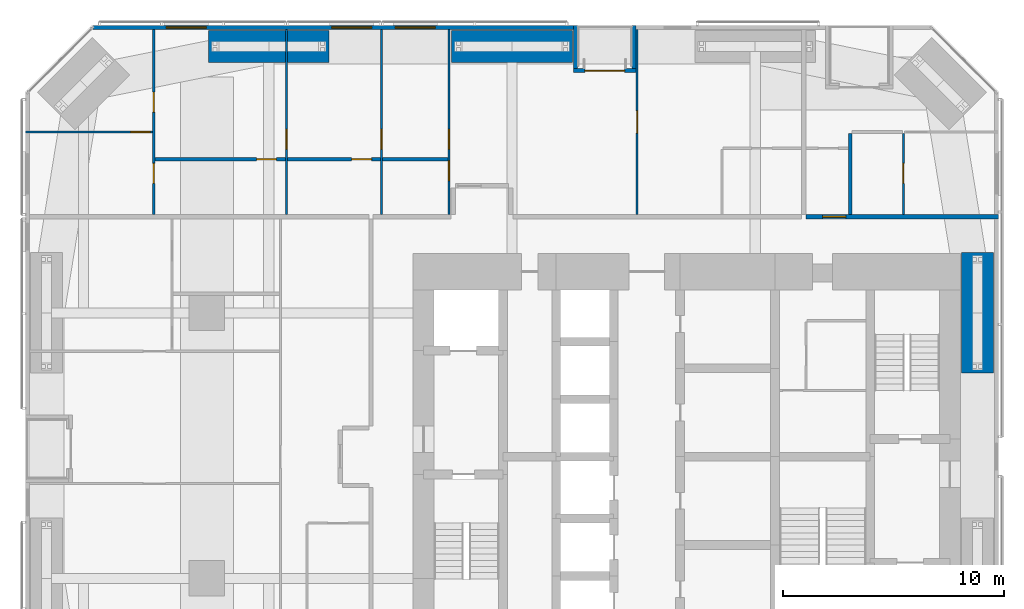
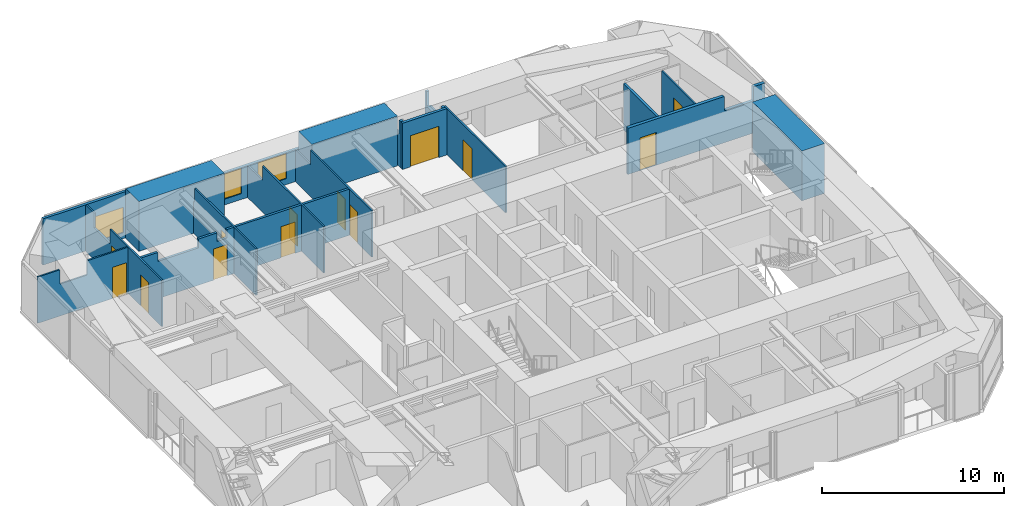
# One storey, part 21 of 23: 19 walls, 13 doors, 3 windows, 16 openings.
"""IFC4 building model written with IfcOpenShell, lengths in metres."""

from ifc_helpers import new_model, si_unit, direction, frame, frame_2d, origin, place, context, subcontext, project, spatial, polyline, rectangle, outline, extrude, material, layer, layer_set, constituent, constituent_set, type_object, element, fill, save


model = new_model("IFC4")

# Units and contexts
model_context = context("Model", 3, precision=1e-05, world=origin(), true_north=direction((0.0, 1.0)))
body_context = subcontext(model_context, "Body", "Model", "MODEL_VIEW")
ifc_project = project(units=[si_unit("LENGTHUNIT", "METRE"), si_unit("AREAUNIT", "SQUARE_METRE"), si_unit("VOLUMEUNIT", "CUBIC_METRE"), si_unit("PLANEANGLEUNIT", "RADIAN"), si_unit("MASSUNIT", "GRAM", prefix="KILO")], contexts=[model_context])

# Site, building, storey
site_placement = place(None, origin())
site = spatial("IfcSite", under=ifc_project, at=site_placement, CompositionType="ELEMENT")
building_placement = place(site_placement, origin())
building = spatial("IfcBuilding", under=site, at=building_placement, Name="Jalousie Tower", CompositionType="ELEMENT")
storey_placement = place(building_placement, frame((0.0, 0.0, 31.050048828125)))
storey = spatial("IfcBuildingStorey", under=building, at=storey_placement, Name="L07", CompositionType="ELEMENT", Elevation=31.050048828125)

# Wall, opening, door
ifc_material_1 = material(Name="Concrete block ASTM C90", Category="concrete")
ifc_constituent_1 = constituent(ifc_material_1, Name="Body")
ifc_material_2 = material(Name="Render")
ifc_constituent_2 = constituent(ifc_material_2, Name="Finish")
ifc_constituent_set_1 = constituent_set(constituents=[ifc_constituent_1, ifc_constituent_2])
wall_type_1 = type_object("IfcWallType", Name="BATHROOM WALL 150", PredefinedType="PLUMBINGWALL", material=ifc_constituent_set_1)
wall_1_placement = place(storey_placement, frame((7.85009765625, 31.949951171875, 0.0), z_axis=(0.0, 0.0, 1.0), x_axis=(1.0, 0.0, 0.0)))
wall_1 = element("IfcWall", 1, at=wall_1_placement, inside=storey, type_object=wall_type_1, Name="Bathroom Wall 150 L07", PredefinedType="PLUMBINGWALL", context=body_context, shape_type="SweptSolid", body=[
    extrude(outline(polyline([(0.0, 0.0), (5.89990234375, 0.0), (5.89990234375, 3.10986328125), (5.46240234375, 3.10986328125), (5.46240234375, 2.541015625), (4.837646484375, 2.541015625), (4.837646484375, 3.10986328125), (3.635009765625, 3.10986328125), (3.635009765625, 2.510009765625), (1.06494140625, 2.510009765625), (1.06494140625, 3.10986328125), (0.0, 3.10986328125), (0.0, 0.0)])), frame((0.0, 0.074951171875, 0.0), z_axis=(0.0, -1.0, 0.0), x_axis=(1.0, 0.0, 0.0)), (0.0, 0.0, 1.0), 0.14990234375),
])
opening_1_placement = place(wall_1_placement, frame((4.60009765625, 0.0, 0.0)))
opening_1 = element("IfcOpeningElement", 2, at=opening_1_placement, cuts=wall_1, Name="Opening D3", PredefinedType="OPENING", context=body_context, shape_type="SweptSolid", body=[
    extrude(rectangle(XDim=0.89990234375, YDim=2.10009765625, at=frame_2d((0.449951171875, 1.050048828125))), frame((0.0, 0.0849609375, 0.0), z_axis=(0.0, -1.0, 0.0), x_axis=(1.0, 0.0, 0.0)), (0.0, 0.0, 1.0), 0.169921875),
])
ifc_material_3 = material(Name="Timber door", Category="wood")
door_type_1 = type_object("IfcDoorType", Name="BATHROOM DOOR 900", OperationType="SINGLE_SWING_LEFT", PredefinedType="DOOR", material=ifc_material_3)
door_1_placement = place(opening_1_placement, frame((0.89990234375, 0.0, 0.0), z_axis=(0.0, 0.0, 1.0), x_axis=(-1.0, 0.0, 0.0)))
door_1 = element("IfcDoor", 3, at=door_1_placement, inside=storey, type_object=door_type_1, Name="Apartment 0704 bedroom 2 bathroom door", OperationType="SINGLE_SWING_LEFT", OverallHeight=2.10009765625, OverallWidth=0.89990234375, PredefinedType="DOOR", context=body_context, shape_type="SweptSolid", body=[
    extrude(rectangle(XDim=0.89990234375, YDim=2.10009765625, at=frame_2d((0.449951171875, 1.050048828125))), frame((0.0, 0.02490234375, 0.0), z_axis=(0.0, -1.0, 0.0), x_axis=(1.0, 0.0, 0.0)), (0.0, 0.0, 1.0), 0.050048828125),
])
fill(opening_1, door_1)

wall_2_placement = place(storey_placement, frame((13.85009765625, 31.949951171875, 0.0), z_axis=(0.0, 0.0, 1.0), x_axis=(1.0, 0.0, 0.0)))
wall_2 = element("IfcWall", 4, at=wall_2_placement, inside=storey, type_object=wall_type_1, Name="Bathroom Wall 150 L07", PredefinedType="PLUMBINGWALL", context=body_context, shape_type="SweptSolid", body=[
    extrude(rectangle(XDim=4.199951171875, YDim=0.14990234375, at=frame_2d((2.10009765625, 0.0))), origin(), (0.0, 0.0, 1.0), 3.10986328125),
])
opening_2_placement = place(wall_2_placement, frame((2.89990234375, 0.0, 0.0)))
opening_2 = element("IfcOpeningElement", 5, at=opening_2_placement, cuts=wall_2, Name="Opening D3", PredefinedType="OPENING", context=body_context, shape_type="SweptSolid", body=[
    extrude(rectangle(XDim=0.89990234375, YDim=2.10009765625, at=frame_2d((0.449951171875, 1.050048828125))), frame((0.0, 0.0849609375, 0.0), z_axis=(0.0, -1.0, 0.0), x_axis=(1.0, 0.0, 0.0)), (0.0, 0.0, 1.0), 0.169921875),
])
door_2_placement = place(opening_2_placement, frame((0.89990234375, 0.0, 0.0), z_axis=(0.0, 0.0, 1.0), x_axis=(-1.0, 0.0, 0.0)))
door_2 = element("IfcDoor", 6, at=door_2_placement, inside=storey, type_object=door_type_1, Name="Apartment 0704 bedroom 3 bathroom door", OperationType="SINGLE_SWING_LEFT", OverallHeight=2.10009765625, OverallWidth=0.89990234375, PredefinedType="DOOR", context=body_context, shape_type="SweptSolid", body=[
    extrude(rectangle(XDim=0.89990234375, YDim=2.10009765625, at=frame_2d((0.449951171875, 1.050048828125))), frame((0.0, 0.02490234375, 0.0), z_axis=(0.0, -1.0, 0.0), x_axis=(1.0, 0.0, 0.0)), (0.0, 0.0, 1.0), 0.050048828125),
])
fill(opening_2, door_2)

# Walls
wall_3_placement = place(storey_placement, frame((18.14990234375, 31.949951171875, 0.0), z_axis=(0.0, 0.0, 1.0), x_axis=(1.0, 0.0, 0.0)))
element("IfcWall", 7, at=wall_3_placement, inside=storey, type_object=wall_type_1, Name="Bathroom Wall 150 L07", PredefinedType="PLUMBINGWALL", context=body_context, shape_type="SweptSolid", body=[
    extrude(rectangle(XDim=2.9501953125, YDim=0.14990234375, at=frame_2d((1.47509765625, 0.0))), origin(), (0.0, 0.0, 1.0), 3.10986328125),
])
wall_4_placement = place(storey_placement, frame((39.300048828125, 33.107666015625, 0.0), z_axis=(0.0, 0.0, 1.0), x_axis=(0.0, -1.0, 0.0)))
element("IfcWall", 8, at=wall_4_placement, inside=storey, type_object=wall_type_1, Name="Bathroom Wall 150 L07", PredefinedType="PLUMBINGWALL", context=body_context, shape_type="SweptSolid", body=[
    extrude(rectangle(XDim=3.65771484375, YDim=0.14990234375, at=frame_2d((1.828857421875, 0.0))), origin(), (0.0, 0.0, 1.0), 3.10986328125),
])

# Wall, opening, door
ifc_material_4 = material(Name="Concrete block ASTM C90", Category="concrete")
ifc_constituent_3 = constituent(ifc_material_4, Name="Body")
ifc_material_5 = material(Name="Render")
ifc_constituent_4 = constituent(ifc_material_5, Name="Finish")
ifc_constituent_set_2 = constituent_set(constituents=[ifc_constituent_3, ifc_constituent_4])
wall_type_2 = type_object("IfcWallType", Name="CORRIDOR WALL 200", PredefinedType="PARTITIONING", material=ifc_constituent_set_2)
wall_5_placement = place(storey_placement, frame((37.300048828125, 29.35009765625, 0.0), z_axis=(0.0, 0.0, 1.0), x_axis=(1.0, 0.0, 0.0)))
wall_5 = element("IfcWall", 9, at=wall_5_placement, inside=storey, type_object=wall_type_2, Name="Corridor Wall 200 L07", PredefinedType="PARTITIONING", context=body_context, shape_type="SweptSolid", body=[
    extrude(outline(polyline([(0.0, 0.0), (8.699951171875, 0.0), (8.699951171875, 3.10986328125), (7.966552734375, 3.10986328125), (7.966552734375, 2.14990234375), (6.122802734375, 2.14990234375), (6.122802734375, 3.10986328125), (0.0, 3.10986328125), (0.0, 0.0)])), frame((0.0, 0.10009765625, 0.0), z_axis=(0.0, -1.0, 0.0), x_axis=(1.0, 0.0, 0.0)), (0.0, 0.0, 1.0), 0.199951171875),
])
opening_3_placement = place(wall_5_placement, frame((0.75, 0.0, 0.0)))
opening_3 = element("IfcOpeningElement", 10, at=opening_3_placement, cuts=wall_5, Name="Opening D1", PredefinedType="OPENING", context=body_context, shape_type="SweptSolid", body=[
    extrude(rectangle(XDim=1.050048828125, YDim=2.199951171875, at=frame_2d((0.52490234375, 1.10009765625))), frame((0.0, 0.10986328125, 0.0), z_axis=(0.0, -1.0, 0.0), x_axis=(1.0, 0.0, 0.0)), (0.0, 0.0, 1.0), 0.219970703125),
])
ifc_material_6 = material(Name="Timber fire door", Category="wood")
door_type_2 = type_object("IfcDoorType", Name="APARTMENT ENTRANCE DOOR 1050", OperationType="SINGLE_SWING_LEFT", PredefinedType="DOOR", material=ifc_material_6)
door_3_placement = place(opening_3_placement, origin())
door_3 = element("IfcDoor", 11, at=door_3_placement, inside=storey, type_object=door_type_2, Name="Apartment 0705 entrance", OperationType="SINGLE_SWING_RIGHT", OverallHeight=2.199951171875, OverallWidth=1.050048828125, PredefinedType="DOOR", context=body_context, shape_type="SweptSolid", body=[
    extrude(rectangle(XDim=1.050048828125, YDim=2.199951171875, at=frame_2d((0.52490234375, 1.10009765625))), frame((0.0, 0.02490234375, 0.0), z_axis=(0.0, -1.0, 0.0), x_axis=(1.0, 0.0, 0.0)), (0.0, 0.0, 1.0), 0.050048828125),
])
fill(opening_3, door_3)

# Wall, openings, windows
ifc_material_7 = material(Name="Concrete f'c 40 MPa", Category="concrete")
ifc_constituent_5 = constituent(ifc_material_7, Name="Body")
ifc_material_8 = material(Name="Render, pastel coral")
ifc_constituent_6 = constituent(ifc_material_8, Name="Finish")
ifc_constituent_set_3 = constituent_set(constituents=[ifc_constituent_5, ifc_constituent_6])
wall_type_3 = type_object("IfcWallType", Name="EXTERNAL WALL 175 CORAL RENDER", PredefinedType="SOLIDWALL", material=ifc_constituent_set_3)
wall_6_placement = place(storey_placement, frame((26.783203125, 37.91259765625, 0.0), z_axis=(0.0, 0.0, 1.0), x_axis=(-1.0, 0.0, 0.0)))
wall_6 = element("IfcWall", 12, at=wall_6_placement, inside=storey, type_object=wall_type_3, Name="External Wall 175 Coral Render L07", PredefinedType="SOLIDWALL", context=body_context, shape_type="SweptSolid", body=[
    extrude(outline(polyline([(0.0, 0.0), (21.73193359375, 0.0), (21.73193359375, 3.10986328125), (13.9873046875, 3.10986328125), (13.9873046875, 2.14990234375), (13.93896484375, 2.14990234375), (13.93896484375, 3.10986328125), (13.783203125, 3.10986328125), (13.783203125, 2.14990234375), (0.0, 2.14990234375), (0.0, 0.0)])), frame((0.0, 0.08740234375, 0.0), z_axis=(0.0, -1.0, 0.0), x_axis=(1.0, 0.0, 0.0)), (0.0, 0.0, 1.0), 0.175048828125),
])
opening_4_placement = place(wall_6_placement, frame((6.25830078125, 0.0, 0.39990234375)))
opening_4 = element("IfcOpeningElement", 13, at=opening_4_placement, cuts=wall_6, Name="Opening W-BED170", PredefinedType="OPENING", context=body_context, shape_type="SweptSolid", body=[
    extrude(rectangle(XDim=1.800048828125, YDim=1.699951171875, at=frame_2d((0.89990234375, 0.85009765625))), frame((0.0, 0.097412109375, 0.0), z_axis=(0.0, -1.0, 0.0), x_axis=(1.0, 0.0, 0.0)), (0.0, 0.0, 1.0), 0.195068359375),
])
opening_5_placement = place(wall_6_placement, frame((9.125732421875, 0.0, 0.39990234375)))
opening_5 = element("IfcOpeningElement", 14, at=opening_5_placement, cuts=wall_6, Name="Opening W-BED170", PredefinedType="OPENING", context=body_context, shape_type="SweptSolid", body=[
    extrude(rectangle(XDim=1.800048828125, YDim=1.699951171875, at=frame_2d((0.89990234375, 0.85009765625))), frame((0.0, 0.097412109375, 0.0), z_axis=(0.0, -1.0, 0.0), x_axis=(1.0, 0.0, 0.0)), (0.0, 0.0, 1.0), 0.195068359375),
])
opening_6_placement = place(wall_6_placement, frame((16.61328125, 0.0, 0.39990234375)))
opening_6 = element("IfcOpeningElement", 15, at=opening_6_placement, cuts=wall_6, Name="Opening W-BED170", PredefinedType="OPENING", context=body_context, shape_type="SweptSolid", body=[
    extrude(rectangle(XDim=1.800048828125, YDim=1.699951171875, at=frame_2d((0.89990234375, 0.85009765625))), frame((0.0, 0.097412109375, 0.0), z_axis=(0.0, -1.0, 0.0), x_axis=(1.0, 0.0, 0.0)), (0.0, 0.0, 1.0), 0.195068359375),
])
ifc_material_9 = material(Name="Aluminium frame, impact-rated glazing", Category="aluminium")
window_type = type_object("IfcWindowType", Name="WINDOW BED 1800x1700", PartitioningType="SINGLE_PANEL", PredefinedType="WINDOW", material=ifc_material_9)
window_1_placement = place(opening_4_placement, origin())
window_1 = element("IfcWindow", 16, at=window_1_placement, inside=storey, type_object=window_type, Name="Apartment 0704 bedroom 4 window", OverallHeight=1.699951171875, OverallWidth=1.800048828125, PartitioningType="SINGLE_PANEL", PredefinedType="WINDOW", context=body_context, shape_type="SweptSolid", body=[
    extrude(rectangle(XDim=1.800048828125, YDim=1.699951171875, at=frame_2d((0.89990234375, 0.85009765625))), frame((0.0, 0.030029296875, 0.0), z_axis=(0.0, -1.0, 0.0), x_axis=(1.0, 0.0, 0.0)), (0.0, 0.0, 1.0), 0.06005859375),
])
fill(opening_4, window_1)
window_2_placement = place(opening_5_placement, origin())
window_2 = element("IfcWindow", 17, at=window_2_placement, inside=storey, type_object=window_type, Name="Apartment 0704 bedroom 3 window", OverallHeight=1.699951171875, OverallWidth=1.800048828125, PartitioningType="SINGLE_PANEL", PredefinedType="WINDOW", context=body_context, shape_type="SweptSolid", body=[
    extrude(rectangle(XDim=1.800048828125, YDim=1.699951171875, at=frame_2d((0.89990234375, 0.85009765625))), frame((0.0, 0.030029296875, 0.0), z_axis=(0.0, -1.0, 0.0), x_axis=(1.0, 0.0, 0.0)), (0.0, 0.0, 1.0), 0.06005859375),
])
fill(opening_5, window_2)
window_3_placement = place(opening_6_placement, origin())
window_3 = element("IfcWindow", 18, at=window_3_placement, inside=storey, type_object=window_type, Name="Apartment 0704 bedroom 2 window", OverallHeight=1.699951171875, OverallWidth=1.800048828125, PartitioningType="SINGLE_PANEL", PredefinedType="WINDOW", context=body_context, shape_type="SweptSolid", body=[
    extrude(rectangle(XDim=1.800048828125, YDim=1.699951171875, at=frame_2d((0.89990234375, 0.85009765625))), frame((0.0, 0.030029296875, 0.0), z_axis=(0.0, -1.0, 0.0), x_axis=(1.0, 0.0, 0.0)), (0.0, 0.0, 1.0), 0.06005859375),
])
fill(opening_6, window_3)

# Wall, opening, door
wall_7_placement = place(storey_placement, frame((29.608154296875, 35.96240234375, 0.0), z_axis=(0.0, 0.0, 1.0), x_axis=(-1.0, 0.0, 0.0)))
wall_7 = element("IfcWall", 19, at=wall_7_placement, inside=storey, type_object=wall_type_3, Name="External Wall 175 Coral Render L07", PredefinedType="SOLIDWALL", context=body_context, shape_type="SweptSolid", body=[
    extrude(rectangle(XDim=2.824951171875, YDim=0.175048828125, at=frame_2d((1.41259765625, 0.0))), origin(), (0.0, 0.0, 1.0), 3.10986328125),
])
opening_7_placement = place(wall_7_placement, frame((0.512451171875, 0.0, 0.0)))
opening_7 = element("IfcOpeningElement", 20, at=opening_7_placement, cuts=wall_7, Name="Opening D-BAL21", PredefinedType="OPENING", context=body_context, shape_type="SweptSolid", body=[
    extrude(rectangle(XDim=1.800048828125, YDim=2.10009765625, at=frame_2d((0.89990234375, 1.050048828125))), frame((0.0, 0.097412109375, 0.0), z_axis=(0.0, -1.0, 0.0), x_axis=(1.0, 0.0, 0.0)), (0.0, 0.0, 1.0), 0.195068359375),
])
ifc_material_10 = material(Name="Aluminium frame, impact-rated glazing", Category="aluminium")
door_type_3 = type_object("IfcDoorType", Name="BALCONY DOOR 1800x2100", OperationType="SLIDING_TO_LEFT", PredefinedType="DOOR", material=ifc_material_10)
door_4_placement = place(opening_7_placement, origin())
door_4 = element("IfcDoor", 21, at=door_4_placement, inside=storey, type_object=door_type_3, Name="Apartment 0704 living room loggia door", OperationType="SLIDING_TO_LEFT", OverallHeight=2.10009765625, OverallWidth=1.800048828125, PredefinedType="DOOR", context=body_context, shape_type="SweptSolid", body=[
    extrude(rectangle(XDim=1.800048828125, YDim=2.10009765625, at=frame_2d((0.89990234375, 1.050048828125))), frame((0.0, 0.02490234375, 0.0), z_axis=(0.0, -1.0, 0.0), x_axis=(1.0, 0.0, 0.0)), (0.0, 0.0, 1.0), 0.050048828125),
])
fill(opening_7, door_4)

# Walls
for number, where, z_axis, x_axis, name in (
    (22, (29.520751953125, 38.0, 0.0), (0.0, 0.0, 1.0), (0.0, -1.0, 0.0), "External Wall 175 Coral Render L07"),
    (23, (26.87060546875, 38.0, 0.0), (0.0, 0.0, 1.0), (0.0, -1.0, 0.0), "External Wall 175 Coral Render L07"),
):
    element("IfcWall", number, at=place(storey_placement, frame(where, z_axis=z_axis, x_axis=x_axis)), inside=storey, type_object=wall_type_3, Name=name, PredefinedType="SOLIDWALL", context=body_context, shape_type="SweptSolid", body=[
        extrude(outline(polyline([(0.0, 0.0), (1.949951171875, 0.0), (1.949951171875, 3.10986328125), (1.75, 3.10986328125), (1.75, 2.14990234375), (0.14990234375, 2.14990234375), (0.14990234375, 3.10986328125), (0.0, 3.10986328125), (0.0, 0.0)])), frame((0.0, 0.08740234375, 0.0), z_axis=(0.0, -1.0, 0.0), x_axis=(1.0, 0.0, 0.0)), (0.0, 0.0, 1.0), 0.175048828125),
    ])

# Wall, openings, doors
ifc_material_11 = material(Name="Gypsum board", Category="gypsum")
ifc_constituent_7 = constituent(ifc_material_11, Name="Body")
ifc_material_12 = material(Name="Light-gauge steel studs ASTM A653 SS Grade 33", Category="steel")
ifc_constituent_8 = constituent(ifc_material_12, Name="Framing")
ifc_constituent_set_4 = constituent_set(constituents=[ifc_constituent_7, ifc_constituent_8])
wall_type_4 = type_object("IfcWallType", Name="PARTITION 100", PredefinedType="PARTITIONING", material=ifc_constituent_set_4)
wall_8_placement = place(storey_placement, frame((7.800048828125, 37.824951171875, 0.0), z_axis=(0.0, 0.0, 1.0), x_axis=(0.0, -1.0, 0.0)))
wall_8 = element("IfcWall", 24, at=wall_8_placement, inside=storey, type_object=wall_type_4, Name="Partition 100 L07", PredefinedType="PARTITIONING", context=body_context, shape_type="SweptSolid", body=[
    extrude(outline(polyline([(0.0, 0.0), (8.375, 0.0), (8.375, 3.10986328125), (2.697021484375, 3.10986328125), (2.697021484375, 2.14990234375), (0.942626953125, 2.14990234375), (0.942626953125, 3.10986328125), (0.0, 3.10986328125), (0.0, 0.0)])), frame((0.0, 0.050048828125, 0.0), z_axis=(0.0, -1.0, 0.0), x_axis=(1.0, 0.0, 0.0)), (0.0, 0.0, 1.0), 0.10009765625),
])
opening_8_placement = place(wall_8_placement, frame((2.84228515625, 0.0, 0.0)))
opening_8 = element("IfcOpeningElement", 25, at=opening_8_placement, cuts=wall_8, Name="Opening D2", PredefinedType="OPENING", context=body_context, shape_type="SweptSolid", body=[
    extrude(rectangle(XDim=0.89990234375, YDim=2.10009765625, at=frame_2d((0.449951171875, 1.050048828125))), frame((0.0, 0.06005859375, 0.0), z_axis=(0.0, -1.0, 0.0), x_axis=(1.0, 0.0, 0.0)), (0.0, 0.0, 1.0), 0.1201171875),
])
opening_9_placement = place(wall_8_placement, frame((6.05859375, 0.0, 0.0)))
opening_9 = element("IfcOpeningElement", 26, at=opening_9_placement, cuts=wall_8, Name="Opening D3", PredefinedType="OPENING", context=body_context, shape_type="SweptSolid", body=[
    extrude(rectangle(XDim=0.89990234375, YDim=2.10009765625, at=frame_2d((0.449951171875, 1.050048828125))), frame((0.0, 0.06005859375, 0.0), z_axis=(0.0, -1.0, 0.0), x_axis=(1.0, 0.0, 0.0)), (0.0, 0.0, 1.0), 0.1201171875),
])
door_5_placement = place(opening_9_placement, origin())
door_5 = element("IfcDoor", 27, at=door_5_placement, inside=storey, type_object=door_type_1, Name="Apartment 0704 bedroom 1 bathroom door", OperationType="SINGLE_SWING_LEFT", OverallHeight=2.10009765625, OverallWidth=0.89990234375, PredefinedType="DOOR", context=body_context, shape_type="SweptSolid", body=[
    extrude(rectangle(XDim=0.89990234375, YDim=2.10009765625, at=frame_2d((0.449951171875, 1.050048828125))), frame((0.0, 0.02490234375, 0.0), z_axis=(0.0, -1.0, 0.0), x_axis=(1.0, 0.0, 0.0)), (0.0, 0.0, 1.0), 0.050048828125),
])
fill(opening_9, door_5)
ifc_material_13 = material(Name="Timber door", Category="wood")
door_type_4 = type_object("IfcDoorType", Name="BEDROOM DOOR 900", OperationType="SINGLE_SWING_LEFT", PredefinedType="DOOR", material=ifc_material_13)
door_6_placement = place(opening_8_placement, origin())
door_6 = element("IfcDoor", 28, at=door_6_placement, inside=storey, type_object=door_type_4, Name="Apartment 0704 bedroom 1 door", OperationType="SINGLE_SWING_RIGHT", OverallHeight=2.10009765625, OverallWidth=0.89990234375, PredefinedType="DOOR", context=body_context, shape_type="SweptSolid", body=[
    extrude(rectangle(XDim=0.89990234375, YDim=2.10009765625, at=frame_2d((0.449951171875, 1.050048828125))), frame((0.0, 0.02490234375, 0.0), z_axis=(0.0, -1.0, 0.0), x_axis=(1.0, 0.0, 0.0)), (0.0, 0.0, 1.0), 0.050048828125),
])
fill(opening_8, door_6)

# Wall, opening, door
wall_9_placement = place(storey_placement, frame((13.800048828125, 37.824951171875, 0.0), z_axis=(0.0, 0.0, 1.0), x_axis=(0.0, -1.0, 0.0)))
wall_9 = element("IfcWall", 29, at=wall_9_placement, inside=storey, type_object=wall_type_4, Name="Partition 100 L07", PredefinedType="PARTITIONING", context=body_context, shape_type="SweptSolid", body=[
    extrude(outline(polyline([(1.635009765625, 2.14990234375), (0.0, 2.14990234375), (0.0, 0.0), (8.375, 0.0), (8.375, 3.10986328125), (1.635009765625, 3.10986328125), (1.635009765625, 2.14990234375)]), holes=[polyline([(1.021240234375, 0.1259765625), (0.52880859375, 0.1259765625), (0.52880859375, 0.9189453125), (1.021240234375, 0.9189453125), (1.021240234375, 0.1259765625)]), polyline([(1.021240234375, 1.23095703125), (0.52880859375, 1.23095703125), (0.52880859375, 2.02392578125), (1.021240234375, 2.02392578125), (1.021240234375, 1.23095703125)])]), frame((0.0, 0.050048828125, 0.0), z_axis=(0.0, -1.0, 0.0), x_axis=(1.0, 0.0, 0.0)), (0.0, 0.0, 1.0), 0.10009765625),
])
opening_10_placement = place(wall_9_placement, frame((4.52490234375, 0.0, 0.0)))
opening_10 = element("IfcOpeningElement", 30, at=opening_10_placement, cuts=wall_9, Name="Opening D2", PredefinedType="OPENING", context=body_context, shape_type="SweptSolid", body=[
    extrude(rectangle(XDim=0.89990234375, YDim=2.10009765625, at=frame_2d((0.449951171875, 1.050048828125))), frame((0.0, 0.06005859375, 0.0), z_axis=(0.0, -1.0, 0.0), x_axis=(1.0, 0.0, 0.0)), (0.0, 0.0, 1.0), 0.1201171875),
])
door_7_placement = place(opening_10_placement, frame((0.89990234375, 0.0, 0.0), z_axis=(0.0, 0.0, 1.0), x_axis=(-1.0, 0.0, 0.0)))
door_7 = element("IfcDoor", 31, at=door_7_placement, inside=storey, type_object=door_type_4, Name="Apartment 0704 bedroom 2 door", OperationType="SINGLE_SWING_LEFT", OverallHeight=2.10009765625, OverallWidth=0.89990234375, PredefinedType="DOOR", context=body_context, shape_type="SweptSolid", body=[
    extrude(rectangle(XDim=0.89990234375, YDim=2.10009765625, at=frame_2d((0.449951171875, 1.050048828125))), frame((0.0, 0.02490234375, 0.0), z_axis=(0.0, -1.0, 0.0), x_axis=(1.0, 0.0, 0.0)), (0.0, 0.0, 1.0), 0.050048828125),
])
fill(opening_10, door_7)

wall_10_placement = place(storey_placement, frame((18.10009765625, 37.824951171875, 0.0), z_axis=(0.0, 0.0, 1.0), x_axis=(0.0, -1.0, 0.0)))
wall_10 = element("IfcWall", 32, at=wall_10_placement, inside=storey, type_object=wall_type_4, Name="Partition 100 L07", PredefinedType="PARTITIONING", context=body_context, shape_type="SweptSolid", body=[
    extrude(outline(polyline([(0.0, 0.0), (8.375, 0.0), (8.375, 3.10986328125), (1.635009765625, 3.10986328125), (1.635009765625, 2.14990234375), (0.0, 2.14990234375), (0.0, 3.10986328125), (0.0, 0.0)])), frame((0.0, 0.050048828125, 0.0), z_axis=(0.0, -1.0, 0.0), x_axis=(1.0, 0.0, 0.0)), (0.0, 0.0, 1.0), 0.10009765625),
])
opening_11_placement = place(wall_10_placement, frame((4.52490234375, 0.0, 0.0)))
opening_11 = element("IfcOpeningElement", 33, at=opening_11_placement, cuts=wall_10, Name="Opening D2", PredefinedType="OPENING", context=body_context, shape_type="SweptSolid", body=[
    extrude(rectangle(XDim=0.89990234375, YDim=2.10009765625, at=frame_2d((0.449951171875, 1.050048828125))), frame((0.0, 0.06005859375, 0.0), z_axis=(0.0, -1.0, 0.0), x_axis=(1.0, 0.0, 0.0)), (0.0, 0.0, 1.0), 0.1201171875),
])
door_8_placement = place(opening_11_placement, frame((0.89990234375, 0.0, 0.0), z_axis=(0.0, 0.0, 1.0), x_axis=(-1.0, 0.0, 0.0)))
door_8 = element("IfcDoor", 34, at=door_8_placement, inside=storey, type_object=door_type_4, Name="Apartment 0704 bedroom 3 door", OperationType="SINGLE_SWING_LEFT", OverallHeight=2.10009765625, OverallWidth=0.89990234375, PredefinedType="DOOR", context=body_context, shape_type="SweptSolid", body=[
    extrude(rectangle(XDim=0.89990234375, YDim=2.10009765625, at=frame_2d((0.449951171875, 1.050048828125))), frame((0.0, 0.02490234375, 0.0), z_axis=(0.0, -1.0, 0.0), x_axis=(1.0, 0.0, 0.0)), (0.0, 0.0, 1.0), 0.050048828125),
])
fill(opening_11, door_8)

# Wall, openings, doors
wall_11_placement = place(storey_placement, frame((21.14990234375, 37.824951171875, 0.0), z_axis=(0.0, 0.0, 1.0), x_axis=(0.0, -1.0, 0.0)))
wall_11 = element("IfcWall", 35, at=wall_11_placement, inside=storey, type_object=wall_type_4, Name="Partition 100 L07", PredefinedType="PARTITIONING", context=body_context, shape_type="SweptSolid", body=[
    extrude(outline(polyline([(0.0, 0.0), (8.375, 0.0), (8.375, 3.10986328125), (1.635009765625, 3.10986328125), (1.635009765625, 2.14990234375), (0.0, 2.14990234375), (0.0, 3.10986328125), (0.0, 0.0)])), frame((0.0, 0.050048828125, 0.0), z_axis=(0.0, -1.0, 0.0), x_axis=(1.0, 0.0, 0.0)), (0.0, 0.0, 1.0), 0.10009765625),
])
opening_12_placement = place(wall_11_placement, frame((4.52490234375, 0.0, 0.0)))
opening_12 = element("IfcOpeningElement", 36, at=opening_12_placement, cuts=wall_11, Name="Opening D2", PredefinedType="OPENING", context=body_context, shape_type="SweptSolid", body=[
    extrude(rectangle(XDim=0.89990234375, YDim=2.10009765625, at=frame_2d((0.449951171875, 1.050048828125))), frame((0.0, 0.06005859375, 0.0), z_axis=(0.0, -1.0, 0.0), x_axis=(1.0, 0.0, 0.0)), (0.0, 0.0, 1.0), 0.1201171875),
])
opening_13_placement = place(wall_11_placement, frame((5.949951171875, 0.0, 0.0)))
opening_13 = element("IfcOpeningElement", 37, at=opening_13_placement, cuts=wall_11, Name="Opening D7", PredefinedType="OPENING", context=body_context, shape_type="SweptSolid", body=[
    extrude(rectangle(XDim=0.89990234375, YDim=2.10009765625, at=frame_2d((0.449951171875, 1.050048828125))), frame((0.0, 0.06005859375, 0.0), z_axis=(0.0, -1.0, 0.0), x_axis=(1.0, 0.0, 0.0)), (0.0, 0.0, 1.0), 0.1201171875),
])
door_9_placement = place(opening_12_placement, frame((0.89990234375, 0.0, 0.0), z_axis=(0.0, 0.0, 1.0), x_axis=(-1.0, 0.0, 0.0)))
door_9 = element("IfcDoor", 38, at=door_9_placement, inside=storey, type_object=door_type_4, Name="Apartment 0704 bedroom 4 door", OperationType="SINGLE_SWING_LEFT", OverallHeight=2.10009765625, OverallWidth=0.89990234375, PredefinedType="DOOR", context=body_context, shape_type="SweptSolid", body=[
    extrude(rectangle(XDim=0.89990234375, YDim=2.10009765625, at=frame_2d((0.449951171875, 1.050048828125))), frame((0.0, 0.02490234375, 0.0), z_axis=(0.0, -1.0, 0.0), x_axis=(1.0, 0.0, 0.0)), (0.0, 0.0, 1.0), 0.050048828125),
])
fill(opening_12, door_9)
ifc_material_14 = material(Name="Timber door", Category="wood")
door_type_5 = type_object("IfcDoorType", Name="INTERNAL DOOR 900", OperationType="SINGLE_SWING_LEFT", PredefinedType="DOOR", material=ifc_material_14)
door_10_placement = place(opening_13_placement, frame((0.89990234375, 0.0, 0.0), z_axis=(0.0, 0.0, 1.0), x_axis=(-1.0, 0.0, 0.0)))
door_10 = element("IfcDoor", 39, at=door_10_placement, inside=storey, type_object=door_type_5, Name="Apartment 0704 bathroom door", OperationType="SINGLE_SWING_RIGHT", OverallHeight=2.10009765625, OverallWidth=0.89990234375, PredefinedType="DOOR", context=body_context, shape_type="SweptSolid", body=[
    extrude(rectangle(XDim=0.89990234375, YDim=2.10009765625, at=frame_2d((0.449951171875, 1.050048828125))), frame((0.0, 0.02490234375, 0.0), z_axis=(0.0, -1.0, 0.0), x_axis=(1.0, 0.0, 0.0)), (0.0, 0.0, 1.0), 0.050048828125),
])
fill(opening_13, door_10)

# Wall, opening, door
wall_12_placement = place(storey_placement, frame((2.0, 33.1826171875, 0.0), z_axis=(0.0, 0.0, 1.0), x_axis=(1.0, 0.0, 0.0)))
wall_12 = element("IfcWall", 40, at=wall_12_placement, inside=storey, type_object=wall_type_4, Name="Partition 100 L07", PredefinedType="PARTITIONING", context=body_context, shape_type="SweptSolid", body=[
    extrude(outline(polyline([(0.0, 0.0), (5.75, 0.0), (5.75, 3.10986328125), (3.148193359375, 3.10986328125), (3.148193359375, 2.14990234375), (1.40576171875, 2.14990234375), (1.40576171875, 3.10986328125), (0.0, 3.10986328125), (0.0, 0.0)])), frame((0.0, 0.050048828125, 0.0), z_axis=(0.0, -1.0, 0.0), x_axis=(1.0, 0.0, 0.0)), (0.0, 0.0, 1.0), 0.10009765625),
])
opening_14_placement = place(wall_12_placement, frame((4.75, 0.0, 0.0)))
opening_14 = element("IfcOpeningElement", 41, at=opening_14_placement, cuts=wall_12, Name="Opening D7", PredefinedType="OPENING", context=body_context, shape_type="SweptSolid", body=[
    extrude(rectangle(XDim=0.89990234375, YDim=2.10009765625, at=frame_2d((0.449951171875, 1.050048828125))), frame((0.0, 0.06005859375, 0.0), z_axis=(0.0, -1.0, 0.0), x_axis=(1.0, 0.0, 0.0)), (0.0, 0.0, 1.0), 0.1201171875),
])
door_11_placement = place(opening_14_placement, frame((0.89990234375, 0.0, 0.0), z_axis=(0.0, 0.0, 1.0), x_axis=(-1.0, 0.0, 0.0)))
door_11 = element("IfcDoor", 42, at=door_11_placement, inside=storey, type_object=door_type_5, Name="Apartment 0704 bedroom 1 dressing hall door", OperationType="SINGLE_SWING_LEFT", OverallHeight=2.10009765625, OverallWidth=0.89990234375, PredefinedType="DOOR", context=body_context, shape_type="SweptSolid", body=[
    extrude(rectangle(XDim=0.89990234375, YDim=2.10009765625, at=frame_2d((0.449951171875, 1.050048828125))), frame((0.0, 0.02490234375, 0.0), z_axis=(0.0, -1.0, 0.0), x_axis=(1.0, 0.0, 0.0)), (0.0, 0.0, 1.0), 0.050048828125),
])
fill(opening_14, door_11)

wall_13_placement = place(storey_placement, frame((29.658203125, 37.824951171875, 0.0), z_axis=(0.0, 0.0, 1.0), x_axis=(0.0, -1.0, 0.0)))
wall_13 = element("IfcWall", 43, at=wall_13_placement, inside=storey, type_object=wall_type_4, Name="Partition 100 L07", PredefinedType="PARTITIONING", context=body_context, shape_type="SweptSolid", body=[
    extrude(outline(polyline([(0.0, 0.0), (8.375, 0.0), (8.375, 3.10986328125), (1.635009765625, 3.10986328125), (1.635009765625, 2.14990234375), (0.0, 2.14990234375), (0.0, 3.10986328125), (0.0, 0.0)])), frame((0.0, 0.050048828125, 0.0), z_axis=(0.0, -1.0, 0.0), x_axis=(1.0, 0.0, 0.0)), (0.0, 0.0, 1.0), 0.10009765625),
])
opening_15_placement = place(wall_13_placement, frame((3.6875, 0.0, 0.0)))
opening_15 = element("IfcOpeningElement", 44, at=opening_15_placement, cuts=wall_13, Name="Opening D6", PredefinedType="OPENING", context=body_context, shape_type="SweptSolid", body=[
    extrude(rectangle(XDim=1.0, YDim=2.10009765625, at=frame_2d((0.5, 1.050048828125))), frame((0.0, 0.06005859375, 0.0), z_axis=(0.0, -1.0, 0.0), x_axis=(1.0, 0.0, 0.0)), (0.0, 0.0, 1.0), 0.1201171875),
])
ifc_material_15 = material(Name="Timber door", Category="wood")
door_type_6 = type_object("IfcDoorType", Name="INTERNAL DOOR 1000", OperationType="SINGLE_SWING_LEFT", PredefinedType="DOOR", material=ifc_material_15)
door_12_placement = place(opening_15_placement, origin())
door_12 = element("IfcDoor", 45, at=door_12_placement, inside=storey, type_object=door_type_6, Name="Apartment 0704 dining room door", OperationType="SINGLE_SWING_LEFT", OverallHeight=2.10009765625, OverallWidth=1.0, PredefinedType="DOOR", context=body_context, shape_type="SweptSolid", body=[
    extrude(rectangle(XDim=1.0, YDim=2.10009765625, at=frame_2d((0.5, 1.050048828125))), frame((0.0, 0.02490234375, 0.0), z_axis=(0.0, -1.0, 0.0), x_axis=(1.0, 0.0, 0.0)), (0.0, 0.0, 1.0), 0.050048828125),
])
fill(opening_15, door_12)

wall_14_placement = place(storey_placement, frame((41.699951171875, 33.107666015625, 0.0), z_axis=(0.0, 0.0, 1.0), x_axis=(0.0, -1.0, 0.0)))
wall_14 = element("IfcWall", 46, at=wall_14_placement, inside=storey, type_object=wall_type_4, Name="Partition 100 L07", PredefinedType="PARTITIONING", context=body_context, shape_type="SweptSolid", body=[
    extrude(rectangle(XDim=3.65771484375, YDim=0.10009765625, at=frame_2d((1.828857421875, 0.0))), origin(), (0.0, 0.0, 1.0), 3.10986328125),
])
opening_16_placement = place(wall_14_placement, frame((1.34130859375, 0.0, 0.0)))
opening_16 = element("IfcOpeningElement", 47, at=opening_16_placement, cuts=wall_14, Name="Opening D3", PredefinedType="OPENING", context=body_context, shape_type="SweptSolid", body=[
    extrude(rectangle(XDim=0.89990234375, YDim=2.10009765625, at=frame_2d((0.449951171875, 1.050048828125))), frame((0.0, 0.06005859375, 0.0), z_axis=(0.0, -1.0, 0.0), x_axis=(1.0, 0.0, 0.0)), (0.0, 0.0, 1.0), 0.1201171875),
])
door_13_placement = place(opening_16_placement, frame((0.89990234375, 0.0, 0.0), z_axis=(0.0, 0.0, 1.0), x_axis=(-1.0, 0.0, 0.0)))
door_13 = element("IfcDoor", 48, at=door_13_placement, inside=storey, type_object=door_type_1, Name="Apartment 0705 bedroom 1 bathroom door", OperationType="SINGLE_SWING_RIGHT", OverallHeight=2.10009765625, OverallWidth=0.89990234375, PredefinedType="DOOR", context=body_context, shape_type="SweptSolid", body=[
    extrude(rectangle(XDim=0.89990234375, YDim=2.10009765625, at=frame_2d((0.449951171875, 1.050048828125))), frame((0.0, 0.02490234375, 0.0), z_axis=(0.0, -1.0, 0.0), x_axis=(1.0, 0.0, 0.0)), (0.0, 0.0, 1.0), 0.050048828125),
])
fill(opening_16, door_13)

# Walls
ifc_material_16 = material(Name="Concrete f'c 120 MPa", Category="concrete")
ifc_layer = layer(ifc_material_16, 1.449951171875)
ifc_layer_set = layer_set([ifc_layer], Name="Concrete f'c 120 MPa")
wall_type_5 = type_object("IfcWallType", Name="RC WALL PIER 1450", PredefinedType="SHEAR", material=ifc_layer_set)
for number, where, z_axis, x_axis, name in (
    (49, (45.050048828125, 22.27490234375, 0.0), (0.0, 0.0, 1.0), (0.0, 1.0, 0.0), "Wall pier 07 L07"),
    (50, (21.27490234375, 37.050048828125, 0.0), (0.0, 0.0, 1.0), (1.0, 0.0, 0.0), "Wall pier 10 L07"),
    (51, (10.27490234375, 37.050048828125, 0.0), (0.0, 0.0, 1.0), (1.0, 0.0, 0.0), "Wall pier 11 L07"),
):
    element("IfcWall", number, at=place(storey_placement, frame(where, z_axis=z_axis, x_axis=x_axis)), inside=storey, type_object=wall_type_5, Name=name, PredefinedType="SHEAR", context=body_context, shape_type="SweptSolid", body=[
        extrude(rectangle(XDim=5.4501953125, YDim=1.449951171875, at=frame_2d((2.72509765625, 0.0))), origin(), (0.0, 0.0, 1.0), 3.349853515625),
    ])

save(model, "model.ifc")
